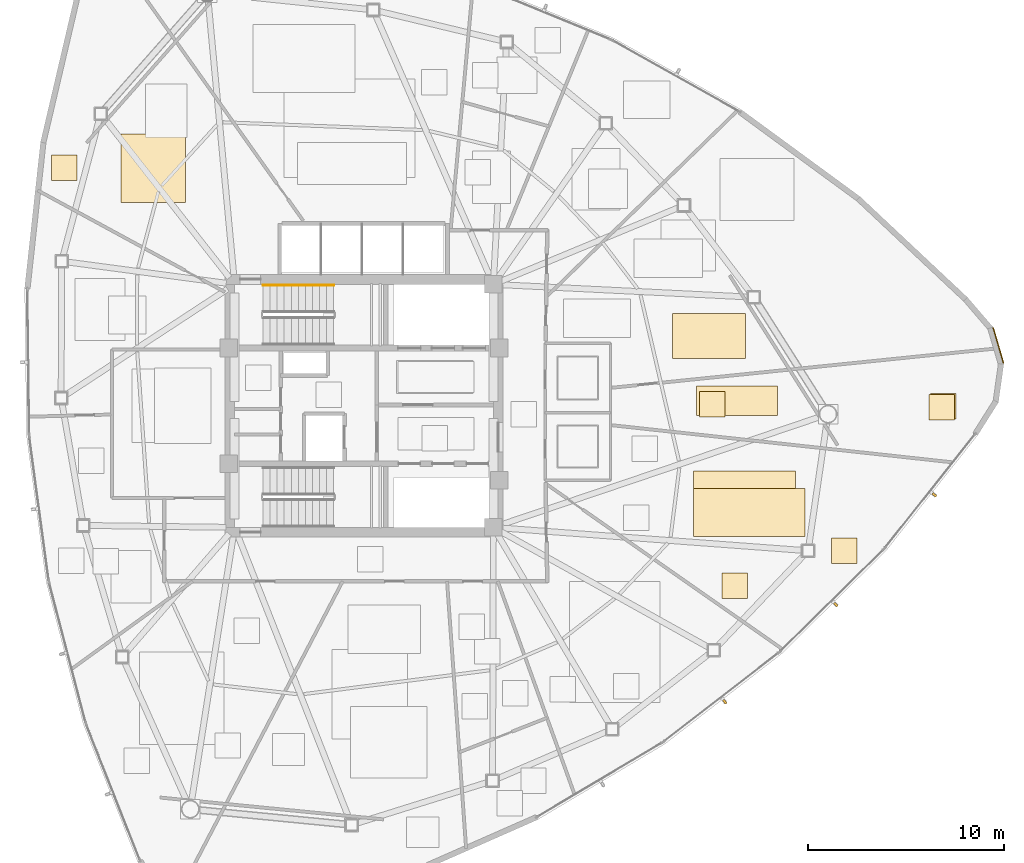
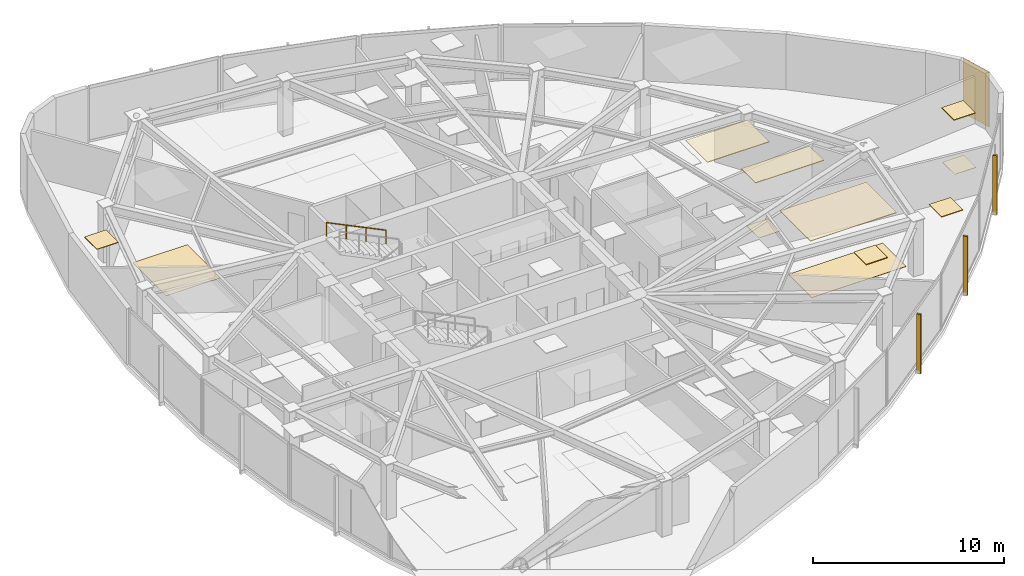
# One storey, part 17 of 18: 12 coverings, 3 shading devices, 1 railing.
"""IFC4 building model written with IfcOpenShell, lengths in metres."""

from ifc_helpers import new_model, si_unit, direction, frame, origin, origin_2d, place, context, subcontext, project, spatial, polyline, rectangle, outline, extrude, source, transform, mapped, material, layer, layer_set, type_object, type_shapes, element, save


model = new_model("IFC4")

# Units and contexts
model_context = context("Model", 3, precision=1e-05, world=origin(), true_north=direction((0.0, 1.0)))
body_context = subcontext(model_context, "Body", "Model", "MODEL_VIEW")
ifc_project = project(units=[si_unit("LENGTHUNIT", "METRE"), si_unit("AREAUNIT", "SQUARE_METRE"), si_unit("VOLUMEUNIT", "CUBIC_METRE"), si_unit("PLANEANGLEUNIT", "RADIAN"), si_unit("MASSUNIT", "GRAM", prefix="KILO")], contexts=[model_context])

# Site, building, storey
site_placement = place(None, origin())
site = spatial("IfcSite", under=ifc_project, at=site_placement, CompositionType="ELEMENT")
building_placement = place(site_placement, origin())
building = spatial("IfcBuilding", under=site, at=building_placement, Name="Tavelor Broadcast Tower", CompositionType="ELEMENT")
storey_placement = place(building_placement, frame((0.0, 0.0, 177.199951171875)))
storey = spatial("IfcBuildingStorey", under=building, at=storey_placement, Name="L42", CompositionType="ELEMENT", Elevation=177.199951171875)

# Covering
ifc_material_1 = material(Name="Copper-Bronze Anodized Aluminium", Category="aluminium")
ifc_layer_1 = layer(ifc_material_1, 0.050048828125)
ifc_layer_set_1 = layer_set([ifc_layer_1], Name="Copper-Bronze Anodized Aluminium")
covering_type_1 = type_object("IfcCoveringType", Name="Champagne-Bronze Corner Pier Metal Cladding 50 mm", PredefinedType="CLADDING", material=ifc_layer_set_1)
covering_1_placement = place(storey_placement, frame((82.36572265625, 48.0810546875, 0.02001953125), z_axis=(0.0, 0.0, 1.0), x_axis=(-0.281504190071, 0.959559998631, 0.0)))
element("IfcCovering", 1, at=covering_1_placement, inside=storey, type_object=covering_type_1, Name="L42 Champagne-Bronze Corner Cladding 23", PredefinedType="CLADDING", context=body_context, shape_type="SweptSolid", body=[
    extrude(rectangle(XDim=1.8759765625, YDim=0.050048828125, at=origin_2d()), origin(), (0.0, 0.0, 1.0), 3.510009765625),
])

# Railing
ifc_material_2 = material(Name="Steel S355", Category="steel")
railing_type = type_object("IfcRailingType", Name="Continuous Brushed Stainless Handrail 900 mm", PredefinedType="HANDRAIL", material=ifc_material_2)
railing_placement = place(storey_placement, frame((48.449951171875, 51.14990234375, 2.10009765625)))
element("IfcRailing", 2, at=railing_placement, inside=storey, type_object=railing_type, Name="L42 ST1 stair handrail 2", PredefinedType="HANDRAIL", context=body_context, shape_type="SweptSolid", body=[
    extrude(rectangle(XDim=0.048095703125, YDim=0.048095703125, at=origin_2d()), frame((0.0, 0.0, 0.8759765625), z_axis=(-0.899360859046, 0.0, 0.437207096483), x_axis=(0.0, -1.0, 0.0)), (0.0, 0.0, 1.0), 4.002685546875),
    extrude(rectangle(XDim=0.0419921875, YDim=0.0419921875, at=origin_2d()), origin(), (0.0, 0.0, 1.0), 0.851806640625),
    extrude(rectangle(XDim=0.0419921875, YDim=0.0419921875, at=origin_2d()), frame((-1.199951171875, 0.0, 0.583251953125)), (0.0, 0.0, 1.0), 0.851806640625),
    extrude(rectangle(XDim=0.0419921875, YDim=0.0419921875, at=origin_2d()), frame((-2.39990234375, 0.0, 1.166748046875)), (0.0, 0.0, 1.0), 0.851806640625),
    extrude(rectangle(XDim=0.0419921875, YDim=0.0419921875, at=origin_2d()), frame((-3.599853515625, 0.0, 1.75)), (0.0, 0.0, 1.0), 0.851806640625),
])

# Coverings
ifc_material_3 = material(Name="Acoustic Nylon Carpet Tile")
ifc_layer_2 = layer(ifc_material_3, 0.02001953125)
ifc_layer_set_2 = layer_set([ifc_layer_2], Name="Acoustic Nylon Carpet Tile")
covering_type_2 = type_object("IfcCoveringType", Name="Heavy-Duty Acoustic Broadcast Carpet Tile 20 mm", PredefinedType="FLOORING", material=ifc_layer_set_2)
covering_2_placement = place(storey_placement, origin())
element("IfcCovering", 3, at=covering_2_placement, inside=storey, type_object=covering_type_2, Name="L42 Broadcast Floor Finish 0624", PredefinedType="FLOORING", context=body_context, shape_type="SweptSolid", body=[
    extrude(outline(polyline([(37.599609375, 55.37158203125), (40.89306640625, 55.37158203125), (40.89306640625, 58.869384765625), (37.599609375, 58.869384765625), (37.599609375, 55.37158203125)])), origin(), (0.0, 0.0, 1.0), 0.02001953125),
])
covering_3_placement = place(storey_placement, origin())
element("IfcCovering", 4, at=covering_3_placement, inside=storey, type_object=covering_type_2, Name="L42 Broadcast Floor Finish 0629", PredefinedType="FLOORING", context=body_context, shape_type="SweptSolid", body=[
    extrude(outline(polyline([(67.115234375, 44.422607421875), (68.415283203125, 44.422607421875), (68.415283203125, 45.72265625), (67.115234375, 45.72265625), (67.115234375, 44.422607421875)])), origin(), (0.0, 0.0, 1.0), 0.02001953125),
])
covering_4_placement = place(storey_placement, origin())
element("IfcCovering", 5, at=covering_4_placement, inside=storey, type_object=covering_type_2, Name="L42 Broadcast Floor Finish 0630", PredefinedType="FLOORING", context=body_context, shape_type="SweptSolid", body=[
    extrude(outline(polyline([(78.902099609375, 44.324951171875), (80.2021484375, 44.324951171875), (80.2021484375, 45.625), (78.902099609375, 45.625), (78.902099609375, 44.324951171875)])), origin(), (0.0, 0.0, 1.0), 0.02001953125),
])
covering_5_placement = place(storey_placement, origin())
element("IfcCovering", 6, at=covering_5_placement, inside=storey, type_object=covering_type_2, Name="L42 Broadcast Floor Finish 0631", PredefinedType="FLOORING", context=body_context, shape_type="SweptSolid", body=[
    extrude(outline(polyline([(66.7998046875, 38.326904296875), (72.508544921875, 38.326904296875), (72.508544921875, 40.789306640625), (66.7998046875, 40.789306640625), (66.7998046875, 38.326904296875)])), origin(), (0.0, 0.0, 1.0), 0.02001953125),
])
ifc_material_4 = material(Name="Acoustic Mineral Fibre Tile")
ifc_layer_3 = layer(ifc_material_4, 0.0400390625)
ifc_layer_set_3 = layer_set([ifc_layer_3], Name="Acoustic Mineral Fibre Tile")
covering_type_3 = type_object("IfcCoveringType", Name="Suspended Acoustic Mineral-Fibre Office Ceiling 40 mm", PredefinedType="CEILING", material=ifc_layer_set_3)
covering_6_placement = place(storey_placement, frame((0.0, 0.0, 3.510009765625)))
element("IfcCovering", 7, at=covering_6_placement, inside=storey, type_object=covering_type_3, Name="L42 Suspended Acoustic Ceiling 1756", PredefinedType="CEILING", context=body_context, shape_type="SweptSolid", body=[
    extrude(outline(polyline([(34.062744140625, 56.5048828125), (35.36279296875, 56.5048828125), (35.36279296875, 57.8046875), (34.062744140625, 57.8046875), (34.062744140625, 56.5048828125)])), origin(), (0.0, 0.0, 1.0), 0.0400390625),
])
covering_7_placement = place(storey_placement, frame((0.0, 0.0, 3.510009765625)))
element("IfcCovering", 8, at=covering_7_placement, inside=storey, type_object=covering_type_3, Name="L42 Suspended Acoustic Ceiling 1769", PredefinedType="CEILING", context=body_context, shape_type="SweptSolid", body=[
    extrude(outline(polyline([(65.731201171875, 47.40771484375), (69.466796875, 47.40771484375), (69.466796875, 49.707763671875), (65.731201171875, 49.707763671875), (65.731201171875, 47.40771484375)])), origin(), (0.0, 0.0, 1.0), 0.0400390625),
])
covering_8_placement = place(storey_placement, frame((0.0, 0.0, 3.510009765625)))
element("IfcCovering", 9, at=covering_8_placement, inside=storey, type_object=covering_type_3, Name="L42 Suspended Acoustic Ceiling 1770", PredefinedType="CEILING", context=body_context, shape_type="SweptSolid", body=[
    extrude(outline(polyline([(66.962158203125, 44.512451171875), (71.08984375, 44.512451171875), (71.08984375, 46.019287109375), (66.962158203125, 46.019287109375), (66.962158203125, 44.512451171875)])), origin(), (0.0, 0.0, 1.0), 0.0400390625),
])
covering_9_placement = place(storey_placement, frame((0.0, 0.0, 3.510009765625)))
element("IfcCovering", 10, at=covering_9_placement, inside=storey, type_object=covering_type_3, Name="L42 Suspended Acoustic Ceiling 1771", PredefinedType="CEILING", context=body_context, shape_type="SweptSolid", body=[
    extrude(outline(polyline([(78.835205078125, 44.288818359375), (80.135009765625, 44.288818359375), (80.135009765625, 45.5888671875), (78.835205078125, 45.5888671875), (78.835205078125, 44.288818359375)])), origin(), (0.0, 0.0, 1.0), 0.0400390625),
])
covering_10_placement = place(storey_placement, frame((0.0, 0.0, 3.510009765625)))
element("IfcCovering", 11, at=covering_10_placement, inside=storey, type_object=covering_type_3, Name="L42 Suspended Acoustic Ceiling 1772", PredefinedType="CEILING", context=body_context, shape_type="SweptSolid", body=[
    extrude(outline(polyline([(73.853759765625, 36.95751953125), (75.15380859375, 36.95751953125), (75.15380859375, 38.25732421875), (73.853759765625, 38.25732421875), (73.853759765625, 36.95751953125)])), origin(), (0.0, 0.0, 1.0), 0.0400390625),
])
covering_11_placement = place(storey_placement, frame((0.0, 0.0, 3.510009765625)))
element("IfcCovering", 12, at=covering_11_placement, inside=storey, type_object=covering_type_3, Name="L42 Suspended Acoustic Ceiling 1773", PredefinedType="CEILING", context=body_context, shape_type="SweptSolid", body=[
    extrude(outline(polyline([(68.257080078125, 35.165771484375), (69.55712890625, 35.165771484375), (69.55712890625, 36.4658203125), (68.257080078125, 36.4658203125), (68.257080078125, 35.165771484375)])), origin(), (0.0, 0.0, 1.0), 0.0400390625),
])
covering_12_placement = place(storey_placement, frame((0.0, 0.0, 3.510009765625)))
element("IfcCovering", 13, at=covering_12_placement, inside=storey, type_object=covering_type_3, Name="L42 Suspended Acoustic Ceiling 1776", PredefinedType="CEILING", context=body_context, shape_type="SweptSolid", body=[
    extrude(outline(polyline([(66.80126953125, 38.476806640625), (72.0126953125, 38.476806640625), (72.0126953125, 41.673095703125), (66.80126953125, 41.673095703125), (66.80126953125, 38.476806640625)])), origin(), (0.0, 0.0, 1.0), 0.0400390625),
])

# Shading devices
ifc_material_5 = material(Name="Kiln-Fired Glazed Terracotta", Category="masonry")
shading_device_type = type_object("IfcShadingDeviceType", Name="Extruded Terracotta Baguette Sun-Screen 110x240", PredefinedType="JALOUSIE", material=ifc_material_5)
shared_shape = source(origin(), body_context, "Body", "SweptSolid", [
    extrude(rectangle(XDim=0.110107421875, YDim=0.239990234375, at=origin_2d()), origin(), (0.0, 0.0, 1.0), 3.7900390625),
])
type_shapes(shading_device_type, [shared_shape])
for number, where, z_axis, x_axis, name in (
    (14, (68.409912109375, 29.9033203125, -0.260009765625), (0.0, 0.0, 1.0), (0.791543619303, 0.611112672705, 0.0), "L42 Terracotta Baguette Fin 438"),
    (15, (74.07763671875, 34.8564453125, -0.260009765625), (0.0, 0.0, 1.0), (0.711658301926, 0.702525772694, 0.0), "L42 Terracotta Baguette Fin 439"),
    (16, (79.1044921875, 40.458984375, -0.260009765625), (0.0, 0.0, 1.0), (0.621421303053, 0.783476588107, 0.0), "L42 Terracotta Baguette Fin 440"),
):
    element("IfcShadingDevice", number, at=place(storey_placement, frame(where, z_axis=z_axis, x_axis=x_axis)), inside=storey, type_object=shading_device_type, Name=name, PredefinedType="JALOUSIE", context=body_context, shape_type="MappedRepresentation", body=[
        mapped(shared_shape, transform((0.0, 0.0, 0.0), scale=1.0)),
    ])

save(model, "model.ifc")
